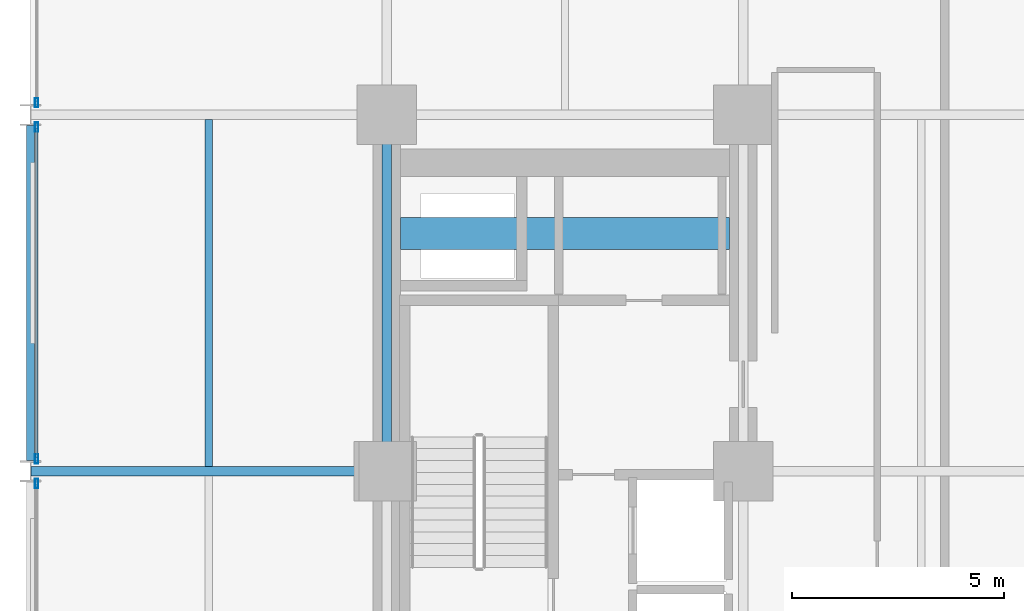
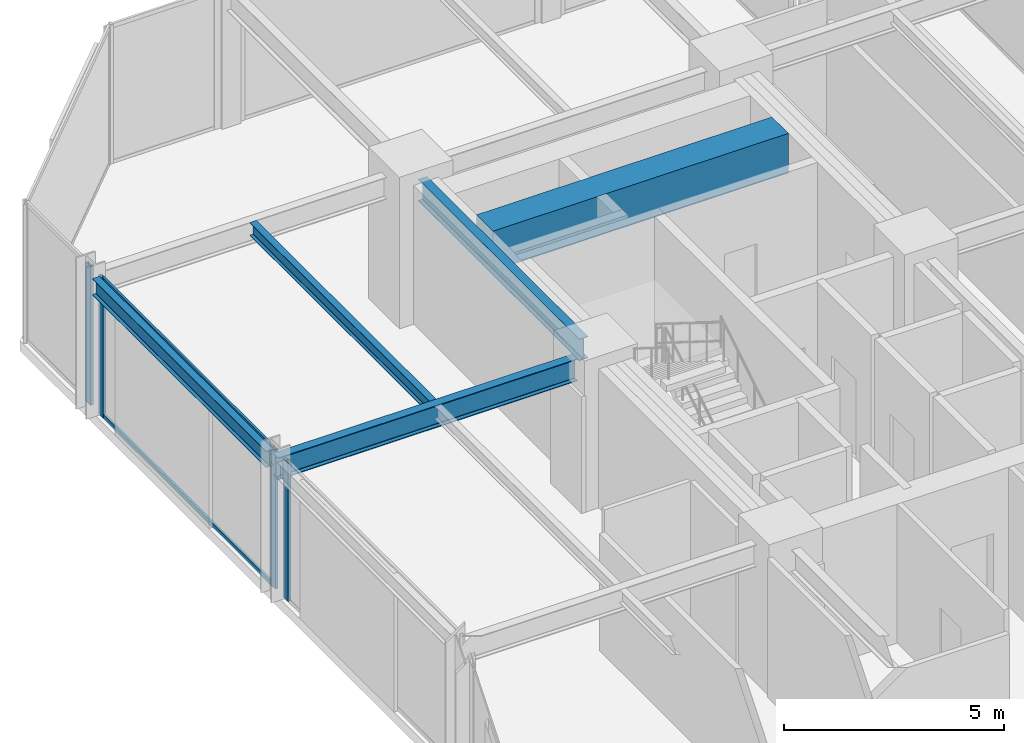
# One storey, part 16 of 26: 6 members, 5 beams, 3 elements without a shape of their own.
"""IFC4 building model written with IfcOpenShell, lengths in metres."""

from ifc_helpers import new_model, si_unit, direction, frame, origin, origin_2d, place, context, subcontext, project, spatial, rectangle, hollow_rectangle, i_section, extrude, material, layer, layer_set, material_profile, profile_set, type_object, element, aggregate, save


model = new_model("IFC4")

# Units and contexts
model_context = context("Model", 3, precision=1e-05, world=origin(), true_north=direction((0.0, 1.0)))
body_context = subcontext(model_context, "Body", "Model", "MODEL_VIEW")
ifc_project = project(units=[si_unit("LENGTHUNIT", "METRE"), si_unit("AREAUNIT", "SQUARE_METRE"), si_unit("VOLUMEUNIT", "CUBIC_METRE"), si_unit("PLANEANGLEUNIT", "RADIAN"), si_unit("MASSUNIT", "GRAM", prefix="KILO")], contexts=[model_context])

# Site, building, storey
site_placement = place(None, origin())
site = spatial("IfcSite", under=ifc_project, at=site_placement, CompositionType="ELEMENT")
building_placement = place(site_placement, origin())
building = spatial("IfcBuilding", under=site, at=building_placement, Name="Nerrivon Quay Data Exchange", CompositionType="ELEMENT")
storey_placement = place(building_placement, frame((0.0, 0.0, 75.199951171875)))
storey = spatial("IfcBuildingStorey", under=building, at=storey_placement, Name="L17", CompositionType="ELEMENT", Elevation=75.199951171875)

# Beams
ifc_material_1 = material(Name="Concrete S65 (65 MPa)", Category="concrete")
ifc_material_profile_1 = material_profile(ifc_material_1, rectangle(XDim=0.75, YDim=1.10009765625, at=origin_2d()), Name="RC-CB-750x1100")
ifc_profile_set_1 = profile_set([ifc_material_profile_1], Name="Concrete S65 (65 MPa)")
beam_type_1 = type_object("IfcBeamType", Name="BM-CB1-750x1100", PredefinedType="LINTEL", material=ifc_profile_set_1)
beam_1_placement = place(storey_placement, frame((8.72509765625, 39.199951171875, 3.300048828125), z_axis=(1.0, 0.0, 0.0), x_axis=(0.0, 1.0, 0.0)))
element("IfcBeam", 1, at=beam_1_placement, inside=storey, type_object=beam_type_1, Name="L17 West Core Coupling Beam", PredefinedType="LINTEL", context=body_context, shape_type="SweptSolid", body=[
    extrude(rectangle(XDim=0.75, YDim=1.10009765625, at=origin_2d()), origin(), (0.0, 0.0, 1.0), 7.75),
])
ifc_material_2 = material(Name="Steel Grade 350", Category="steel")
ifc_material_profile_2 = material_profile(ifc_material_2, i_section(OverallWidth=0.22900390625, OverallDepth=0.612060546875, WebThickness=0.011962890625, FlangeThickness=0.01953125, FilletRadius=0.013916015625, at=origin_2d()), Name="610UB125")
ifc_profile_set_2 = profile_set([ifc_material_profile_2], Name="Steel Grade 350")
beam_type_2 = type_object("IfcBeamType", Name="BM-G1-610UB125", PredefinedType="BEAM", material=ifc_profile_set_2)
beam_2_placement = place(storey_placement, frame((0.013916015625, 33.60009765625, 3.5439453125), z_axis=(1.0, 0.0, 0.0), x_axis=(0.0, 1.0, 0.0)))
element("IfcBeam", 2, at=beam_2_placement, inside=storey, type_object=beam_type_2, Name="L17 EW Girder Y=33.6 (0.0..8.4)", PredefinedType="BEAM", context=body_context, shape_type="SweptSolid", body=[
    extrude(i_section(OverallWidth=0.22900390625, OverallDepth=0.612060546875, WebThickness=0.011962890625, FlangeThickness=0.01953125, FilletRadius=0.013916015625, at=origin_2d()), origin(), (0.0, 0.0, 1.0), 7.84619140625),
])
ifc_material_profile_3 = material_profile(ifc_material_2, i_section(OverallWidth=0.22802734375, OverallDepth=0.60205078125, WebThickness=0.010498046875, FlangeThickness=0.014892578125, FilletRadius=0.013916015625, at=origin_2d()), Name="610UB101")
ifc_profile_set_3 = profile_set([ifc_material_profile_3], Name="Steel Grade 350")
beam_type_3 = type_object("IfcBeamType", Name="BM-G2-610UB101", PredefinedType="BEAM", material=ifc_profile_set_3)
beam_3_placement = place(storey_placement, frame((8.39990234375, 34.139892578125, 3.549072265625), z_axis=(0.0, 1.0, 0.0), x_axis=(-1.0, 0.0, 0.0)))
element("IfcBeam", 3, at=beam_3_placement, inside=storey, type_object=beam_type_3, Name="L17 NS Girder X=8.4 (33.6..42.0)", PredefinedType="BEAM", context=body_context, shape_type="SweptSolid", body=[
    extrude(i_section(OverallWidth=0.22802734375, OverallDepth=0.60205078125, WebThickness=0.010498046875, FlangeThickness=0.014892578125, FilletRadius=0.013916015625, at=origin_2d()), origin(), (0.0, 0.0, 1.0), 7.320068359375),
])
ifc_material_profile_4 = material_profile(ifc_material_2, i_section(OverallWidth=0.172119140625, OverallDepth=0.35888671875, WebThickness=0.008056640625, FlangeThickness=0.012939453125, FilletRadius=0.011474609375, at=origin_2d()), Name="360UB56.7")
ifc_profile_set_4 = profile_set([ifc_material_profile_4], Name="Steel Grade 350")
beam_type_4 = type_object("IfcBeamType", Name="BM-J3-360UB57", PredefinedType="JOIST", material=ifc_profile_set_4)
beam_4_placement = place(storey_placement, frame((4.199951171875, 33.714599609375, 3.670654296875), z_axis=(0.0, 1.0, 0.0), x_axis=(-1.0, 0.0, 0.0)))
element("IfcBeam", 4, at=beam_4_placement, inside=storey, type_object=beam_type_4, Name="L17 Secondary Joist X=4.2 (33.6..42.0)", PredefinedType="JOIST", context=body_context, shape_type="SweptSolid", body=[
    extrude(i_section(OverallWidth=0.172119140625, OverallDepth=0.35888671875, WebThickness=0.008056640625, FlangeThickness=0.012939453125, FilletRadius=0.011474609375, at=origin_2d()), origin(), (0.0, 0.0, 1.0), 8.1708984375),
])
ifc_material_profile_5 = material_profile(ifc_material_2, i_section(OverallWidth=0.18994140625, OverallDepth=0.4541015625, WebThickness=0.008544921875, FlangeThickness=0.0126953125, FilletRadius=0.011474609375, at=origin_2d()), Name="460UB67.1")
ifc_profile_set_5 = profile_set([ifc_material_profile_5], Name="Steel Grade 350")
beam_type_5 = type_object("IfcBeamType", Name="BM-SP1-460UB67", PredefinedType="SPANDREL", material=ifc_profile_set_5)
beam_5_placement = place(storey_placement, frame((0.0, 33.85009765625, 3.623046875), z_axis=(0.0, 1.0, 0.0), x_axis=(-1.0, 0.0, 0.0)))
element("IfcBeam", 5, at=beam_5_placement, inside=storey, type_object=beam_type_5, Name="L17 NS Girder X=0.0 (33.6..42.0)", PredefinedType="SPANDREL", context=body_context, shape_type="SweptSolid", body=[
    extrude(i_section(OverallWidth=0.18994140625, OverallDepth=0.4541015625, WebThickness=0.008544921875, FlangeThickness=0.0126953125, FilletRadius=0.011474609375, at=origin_2d()), origin(), (0.0, 0.0, 1.0), 7.89990234375),
])

# Curtain wall, member
ifc_material_3 = material(Name="Anodised aluminium 6063-T6", Category="aluminium")
ifc_layer = layer(ifc_material_3, 0.219970703125)
ifc_layer_set = layer_set([ifc_layer], Name="Anodised aluminium 6063-T6")
curtain_wall_type = type_object("IfcCurtainWallType", Name="CW-SYS-01", PredefinedType="NOTDEFINED", material=ifc_layer_set)
curtain_wall_1_placement = place(storey_placement, origin())
curtain_wall_1 = element("IfcCurtainWall", 6, at=curtain_wall_1_placement, inside=storey, type_object=curtain_wall_type, Name="L17 Unitised Curtain Wall 20", PredefinedType="NOTDEFINED")
ifc_material_profile_6 = material_profile(ifc_material_3, hollow_rectangle(XDim=0.074951171875, YDim=0.219970703125, WallThickness=0.00390625, at=origin_2d()), Name="ALU-MULL-220x75")
ifc_profile_set_6 = profile_set([ifc_material_profile_6], Name="Anodised aluminium 6063-T6")
member_type_1 = type_object("IfcMemberType", Name="CWM-220x75", PredefinedType="MULLION", material=ifc_profile_set_6)
member_1_placement = place(storey_placement, frame((0.139892578125, 33.3125, 0.0), z_axis=(0.0, 0.0, 1.0), x_axis=(-1.0, 0.0, 0.0)))
member_1 = element("IfcMember", 7, at=member_1_placement, type_object=member_type_1, Name="CW01 mullion 2", PredefinedType="MULLION", context=body_context, shape_type="SweptSolid", body=[
    extrude(hollow_rectangle(XDim=0.074951171875, YDim=0.219970703125, WallThickness=0.00390625, at=origin_2d()), origin(), (0.0, 0.0, 1.0), 3.85009765625),
])
aggregate(curtain_wall_1, [member_1])

# Curtain wall, members
curtain_wall_2_placement = place(storey_placement, origin())
curtain_wall_2 = element("IfcCurtainWall", 8, at=curtain_wall_2_placement, inside=storey, type_object=curtain_wall_type, Name="L17 Unitised Curtain Wall 21", PredefinedType="NOTDEFINED")
member_2_placement = place(storey_placement, frame((0.139892578125, 33.887451171875, 0.0), z_axis=(0.0, 0.0, 1.0), x_axis=(-1.0, 0.0, 0.0)))
member_2 = element("IfcMember", 9, at=member_2_placement, type_object=member_type_1, Name="CW01 mullion 1", PredefinedType="MULLION", context=body_context, shape_type="SweptSolid", body=[
    extrude(hollow_rectangle(XDim=0.074951171875, YDim=0.219970703125, WallThickness=0.00390625, at=origin_2d()), origin(), (0.0, 0.0, 1.0), 3.85009765625),
])
member_3_placement = place(storey_placement, frame((0.139892578125, 41.71240234375, 0.0), z_axis=(0.0, 0.0, 1.0), x_axis=(-1.0, 0.0, 0.0)))
member_3 = element("IfcMember", 10, at=member_3_placement, type_object=member_type_1, Name="CW01 mullion 2", PredefinedType="MULLION", context=body_context, shape_type="SweptSolid", body=[
    extrude(hollow_rectangle(XDim=0.074951171875, YDim=0.219970703125, WallThickness=0.00390625, at=origin_2d()), origin(), (0.0, 0.0, 1.0), 3.85009765625),
])

# Curtain wall, member
curtain_wall_3_placement = place(storey_placement, origin())
curtain_wall_3 = element("IfcCurtainWall", 11, at=curtain_wall_3_placement, inside=storey, type_object=curtain_wall_type, Name="L17 Unitised Curtain Wall 22", PredefinedType="NOTDEFINED")
member_4_placement = place(storey_placement, frame((0.139892578125, 42.28759765625, 0.0), z_axis=(0.0, 0.0, 1.0), x_axis=(-1.0, 0.0, 0.0)))
member_4 = element("IfcMember", 12, at=member_4_placement, type_object=member_type_1, Name="CW01 mullion 1", PredefinedType="MULLION", context=body_context, shape_type="SweptSolid", body=[
    extrude(hollow_rectangle(XDim=0.074951171875, YDim=0.219970703125, WallThickness=0.00390625, at=origin_2d()), origin(), (0.0, 0.0, 1.0), 3.85009765625),
])
aggregate(curtain_wall_3, [member_4])

# Member
ifc_material_profile_7 = material_profile(ifc_material_3, hollow_rectangle(XDim=0.06005859375, YDim=0.1201171875, WallThickness=0.003173828125, at=origin_2d()), Name="ALU-TRAN-120x60")
ifc_profile_set_7 = profile_set([ifc_material_profile_7], Name="Anodised aluminium 6063-T6")
member_type_2 = type_object("IfcMemberType", Name="CWT-120x60", PredefinedType="USERDEFINED", material=ifc_profile_set_7)
member_5_placement = place(storey_placement, frame((0.139892578125, 33.925048828125, 0.032470703125), z_axis=(0.0, 1.0, 0.0), x_axis=(-1.0, 0.0, 0.0)))
member_5 = element("IfcMember", 13, at=member_5_placement, type_object=member_type_2, Name="CW01 transom 1.1", ObjectType="TRANSOM", PredefinedType="USERDEFINED", context=body_context, shape_type="SweptSolid", body=[
    extrude(hollow_rectangle(XDim=0.06005859375, YDim=0.1201171875, WallThickness=0.003173828125, at=origin_2d()), origin(), (0.0, 0.0, 1.0), 7.75),
])

member_6_placement = place(storey_placement, frame((0.139892578125, 33.925048828125, 3.817626953125), z_axis=(0.0, 1.0, 0.0), x_axis=(-1.0, 0.0, 0.0)))
member_6 = element("IfcMember", 14, at=member_6_placement, type_object=member_type_2, Name="CW01 transom 1.2", ObjectType="TRANSOM", PredefinedType="USERDEFINED", context=body_context, shape_type="SweptSolid", body=[
    extrude(hollow_rectangle(XDim=0.06005859375, YDim=0.1201171875, WallThickness=0.003173828125, at=origin_2d()), origin(), (0.0, 0.0, 1.0), 7.75),
])

aggregate(curtain_wall_2, [member_2, member_3, member_5, member_6])

save(model, "model.ifc")
